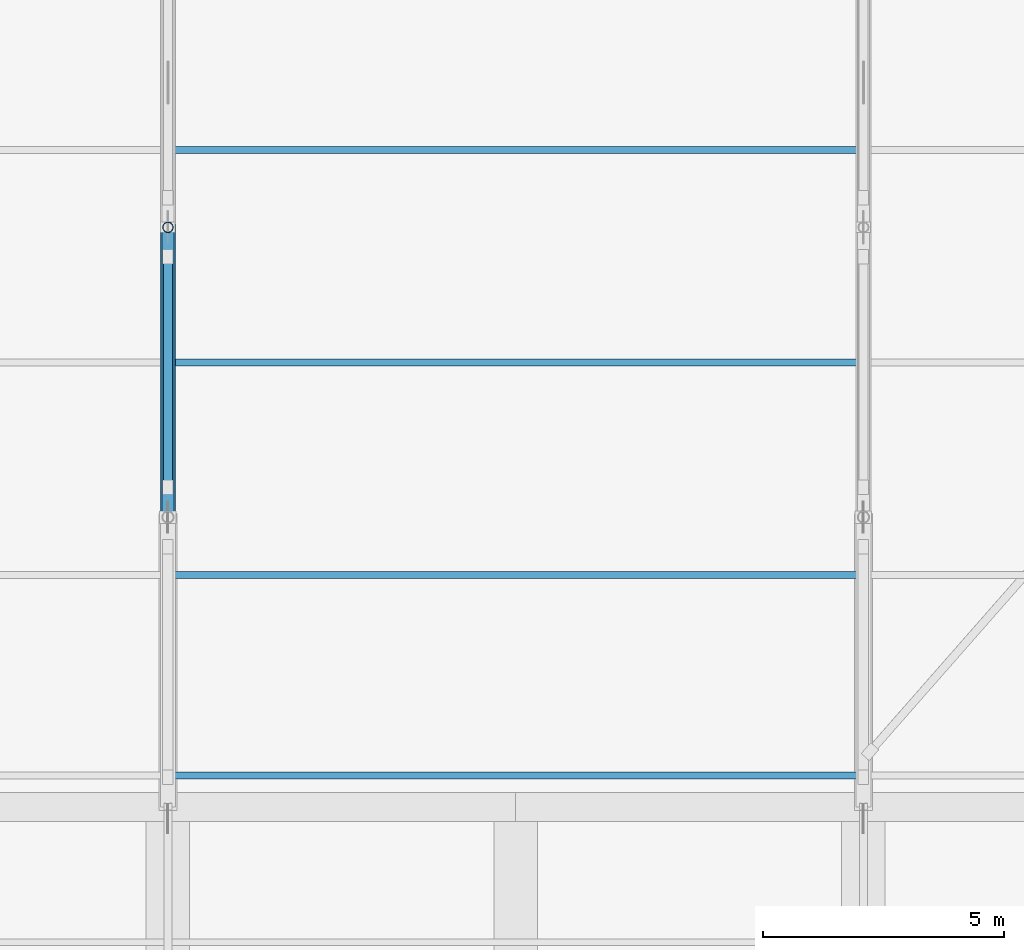
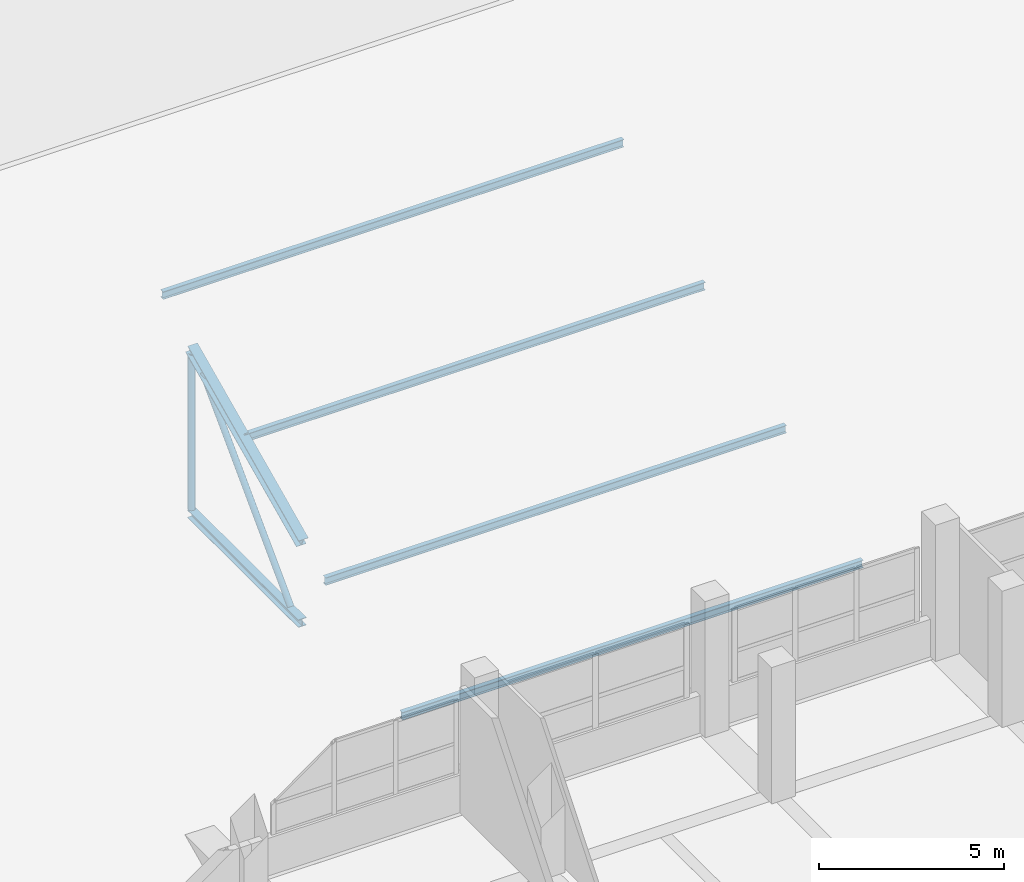
# One storey, part 97 of 141: 8 members, 1 element without a shape of its own.
"""IFC4 building model written with IfcOpenShell, lengths in metres."""

from ifc_helpers import new_model, si_unit, direction, frame, origin, origin_2d, place, context, subcontext, project, spatial, hollow_circle, i_section, extrude, material, material_profile, profile_set, type_object, element, aggregate, save


model = new_model("IFC4")

# Units and contexts
model_context = context("Model", 3, precision=1e-05, world=origin(), true_north=direction((0.0, 1.0)))
body_context = subcontext(model_context, "Body", "Model", "MODEL_VIEW")
ifc_project = project(units=[si_unit("LENGTHUNIT", "METRE"), si_unit("AREAUNIT", "SQUARE_METRE"), si_unit("VOLUMEUNIT", "CUBIC_METRE"), si_unit("PLANEANGLEUNIT", "RADIAN"), si_unit("MASSUNIT", "GRAM", prefix="KILO")], contexts=[model_context])

# Site, building, storey
site_placement = place(None, origin())
site = spatial("IfcSite", under=ifc_project, at=site_placement, CompositionType="ELEMENT")
building_placement = place(site_placement, origin())
building = spatial("IfcBuilding", under=site, at=building_placement, Name="Seraya Terrace Polytechnic", CompositionType="ELEMENT")
storey_placement = place(building_placement, frame((0.0, 0.0, 14.39990234375)))
storey = spatial("IfcBuildingStorey", under=building, at=storey_placement, Name="L03", CompositionType="ELEMENT", Elevation=14.39990234375)

# Assembly, members
ifc_material = material(Name="Steel S355J2", Category="steel")
element_assembly_type = type_object("IfcElementAssemblyType", Name="TR-A1", PredefinedType="TRUSS", material=ifc_material)
assembly_placement = place(storey_placement, origin())
assembly = element("IfcElementAssembly", 1, at=assembly_placement, inside=storey, type_object=element_assembly_type, Name="Pitched steel roof truss TR-06", AssemblyPlace="SITE", PredefinedType="TRUSS")
ifc_material_profile_1 = material_profile(ifc_material, i_section(OverallWidth=0.25390625, OverallDepth=0.25390625, WebThickness=0.0107421875, FlangeThickness=0.017333984375, at=origin_2d()), Name="UKC 254x254x10.7x17.3")
ifc_profile_set_1 = profile_set([ifc_material_profile_1], Name="Steel S355J2")
member_type_1 = type_object("IfcMemberType", Name="BC-02", PredefinedType="CHORD", material=ifc_profile_set_1)
member_1_placement = place(storey_placement, frame((86.39990234375, 85.199951171875, 0.150146484375), z_axis=(0.0, 1.0, 0.0), x_axis=(-1.0, 0.0, 0.0)))
member_1 = element("IfcMember", 2, at=member_1_placement, type_object=member_type_1, Name="TR-06 bottom chord 2", PredefinedType="CHORD", context=body_context, shape_type="SweptSolid", body=[
    extrude(i_section(OverallWidth=0.25390625, OverallDepth=0.25390625, WebThickness=0.0107421875, FlangeThickness=0.017333984375, at=origin_2d()), origin(), (0.0, 0.0, 1.0), 6.0),
])
ifc_material_profile_2 = material_profile(ifc_material, hollow_circle(Radius=0.096923828125, WallThickness=0.010009765625, at=origin_2d()), Name="CHS 193.7x10.0")
ifc_profile_set_2 = profile_set([ifc_material_profile_2], Name="Steel S355J2")
member_type_2 = type_object("IfcMemberType", Name="BR-02", PredefinedType="BRACE", material=ifc_profile_set_2)
member_2_placement = place(storey_placement, frame((86.39990234375, 85.820068359375, 0.291015625), z_axis=(0.0, 0.700213947338, 0.713933069659), x_axis=(-1.0, 0.0, 0.0)))
member_2 = element("IfcMember", 3, at=member_2_placement, type_object=member_type_2, Name="TR-06 web diagonal 2", PredefinedType="BRACE", context=body_context, shape_type="SweptSolid", body=[
    extrude(hollow_circle(Radius=0.096923828125, WallThickness=0.010009765625, at=origin_2d()), origin(), (0.0, 0.0, 1.0), 6.7978515625),
])

# Members
ifc_material_profile_3 = material_profile(ifc_material, i_section(OverallWidth=0.14599609375, OverallDepth=0.25390625, WebThickness=0.007080078125, FlangeThickness=0.01416015625, at=origin_2d()), Name="UKB 254x146x7.2x14.2")
ifc_profile_set_3 = profile_set([ifc_material_profile_3], Name="Steel S355J2")
member_type_3 = type_object("IfcMemberType", Name="PR-01", PredefinedType="PURLIN", material=ifc_profile_set_3)
for number, where, z_axis, x_axis, name in (
    (4, (86.39990234375, 79.85009765625, 0.33349609375), (1.0, 0.0, 0.0), (0.0, 1.0, 0.0), "Workshop roof purlin PR-01 bay 6.2"),
    (5, (86.39990234375, 84.0, 2.270263671875), (1.0, 0.0, 0.0), (0.0, 1.0, 0.0), "Workshop roof purlin PR-01 bay 6.3"),
    (6, (86.39990234375, 88.39990234375, 4.323486328125), (1.0, 0.0, 0.0), (0.0, 1.0, 0.0), "Workshop roof purlin PR-01 bay 6.4"),
    (7, (86.39990234375, 92.800048828125, 6.376953125), (1.0, 0.0, 0.0), (0.0, 1.0, 0.0), "Workshop roof purlin PR-01 bay 6.5"),
):
    element("IfcMember", number, at=place(storey_placement, frame(where, z_axis=z_axis, x_axis=x_axis)), inside=storey, type_object=member_type_3, Name=name, PredefinedType="PURLIN", context=body_context, shape_type="SweptSolid", body=[
        extrude(i_section(OverallWidth=0.14599609375, OverallDepth=0.25390625, WebThickness=0.007080078125, FlangeThickness=0.01416015625, at=origin_2d()), origin(), (0.0, 0.0, 1.0), 14.400146484375),
    ])

# Member
ifc_material_profile_4 = material_profile(ifc_material, hollow_circle(Radius=0.109619140625, WallThickness=0.010009765625, at=origin_2d()), Name="CHS 219.1x10.0")
ifc_profile_set_4 = profile_set([ifc_material_profile_4], Name="Steel S355J2")
member_type_4 = type_object("IfcMemberType", Name="ST-M3", PredefinedType="STRUT", material=ifc_profile_set_4)
member_3_placement = place(storey_placement, frame((86.39990234375, 91.199951171875, 0.281005859375), z_axis=(0.0, 0.0, 1.0), x_axis=(1.0, 0.0, 0.0)))
member_3 = element("IfcMember", 8, at=member_3_placement, type_object=member_type_4, Name="TR-06 vertical strut 3", PredefinedType="STRUT", context=body_context, shape_type="SweptSolid", body=[
    extrude(hollow_circle(Radius=0.109619140625, WallThickness=0.010009765625, at=origin_2d()), origin(), (0.0, 0.0, 1.0), 5.16259765625),
])

ifc_material_profile_5 = material_profile(ifc_material, i_section(OverallWidth=0.304931640625, OverallDepth=0.304931640625, WebThickness=0.011962890625, FlangeThickness=0.019775390625, at=origin_2d()), Name="UKC 305x305x12.0x19.7")
ifc_profile_set_5 = profile_set([ifc_material_profile_5], Name="Steel S355J2")
member_type_5 = type_object("IfcMemberType", Name="TC-02", PredefinedType="CHORD", material=ifc_profile_set_5)
member_4_placement = place(storey_placement, frame((86.39990234375, 85.199951171875, 2.800048828125), z_axis=(0.0, 0.906180313975, 0.422891521036), x_axis=(-1.0, 0.0, 0.0)))
member_4 = element("IfcMember", 9, at=member_4_placement, type_object=member_type_5, Name="TR-06 top chord 2", PredefinedType="CHORD", context=body_context, shape_type="SweptSolid", body=[
    extrude(i_section(OverallWidth=0.304931640625, OverallDepth=0.304931640625, WebThickness=0.011962890625, FlangeThickness=0.019775390625, at=origin_2d()), origin(), (0.0, 0.0, 1.0), 6.62109375),
])

aggregate(assembly, [member_1, member_4, member_3, member_2])

save(model, "model.ifc")
